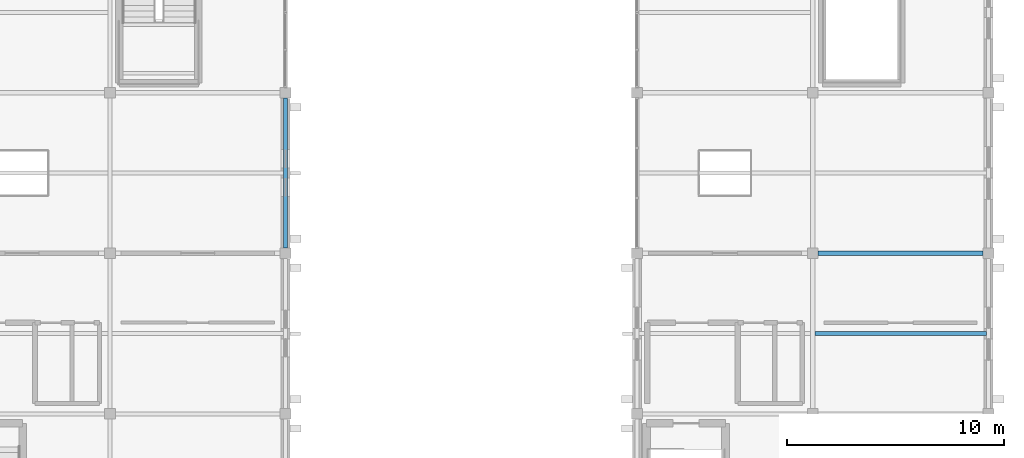
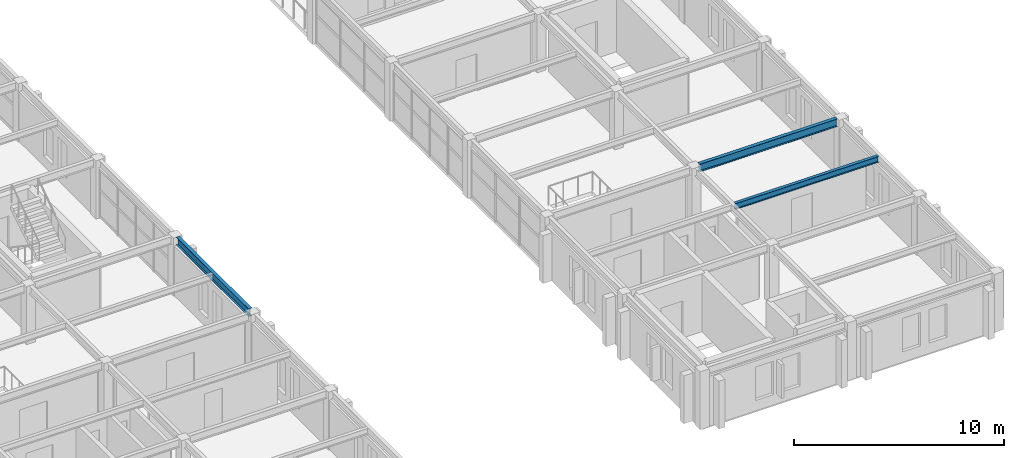
# One storey, part 63 of 93: 3 beams.
"""IFC4 building model written with IfcOpenShell, lengths in metres."""

from ifc_helpers import new_model, si_unit, direction, frame, origin, origin_2d, place, context, subcontext, project, spatial, i_section, extrude, material, material_profile, profile_set, type_object, element, save


model = new_model("IFC4")

# Units and contexts
model_context = context("Model", 3, precision=1e-05, world=origin(), true_north=direction((0.0, 1.0)))
body_context = subcontext(model_context, "Body", "Model", "MODEL_VIEW")
ifc_project = project(units=[si_unit("LENGTHUNIT", "METRE"), si_unit("AREAUNIT", "SQUARE_METRE"), si_unit("VOLUMEUNIT", "CUBIC_METRE"), si_unit("PLANEANGLEUNIT", "RADIAN"), si_unit("MASSUNIT", "GRAM", prefix="KILO")], contexts=[model_context])

# Site, building, storey
site_placement = place(None, origin())
site = spatial("IfcSite", under=ifc_project, at=site_placement, CompositionType="ELEMENT")
building_placement = place(site_placement, origin())
building = spatial("IfcBuilding", under=site, at=building_placement, Name="Cimatlan Art Gallery", CompositionType="ELEMENT")
storey_placement = place(building_placement, frame((0.0, 0.0, 13.800048828125)))
storey = spatial("IfcBuildingStorey", under=building, at=storey_placement, Name="L03", CompositionType="ELEMENT", Elevation=13.800048828125)

# Beams
ifc_material = material(Name="Steel ASTM A992 Grade 50", Category="steel")
ifc_material_profile_1 = material_profile(ifc_material, i_section(OverallWidth=0.1708984375, OverallDepth=0.35107421875, WebThickness=0.0068359375, FlangeThickness=0.009765625, at=origin_2d()), Name="W14X30")
ifc_profile_set_1 = profile_set([ifc_material_profile_1], Name="Steel ASTM A992 Grade 50")
beam_type_1 = type_object("IfcBeamType", Name="BM-STL-W14X30", PredefinedType="JOIST", material=ifc_profile_set_1)
beam_1_placement = place(storey_placement, frame((155.99560546875, 35.0, 3.204345703125), z_axis=(1.0, 0.0, 0.0), x_axis=(0.0, 1.0, 0.0)))
element("IfcBeam", 1, at=beam_1_placement, inside=storey, type_object=beam_type_1, Name="JST-L03-19-04", PredefinedType="JOIST", context=body_context, shape_type="SweptSolid", body=[
    extrude(i_section(OverallWidth=0.1708984375, OverallDepth=0.35107421875, WebThickness=0.0068359375, FlangeThickness=0.009765625, at=origin_2d()), origin(), (0.0, 0.0, 1.0), 7.908935546875),
])
ifc_material_profile_2 = material_profile(ifc_material, i_section(OverallWidth=0.19091796875, OverallDepth=0.45703125, WebThickness=0.009033203125, FlangeThickness=0.014404296875, at=origin_2d()), Name="W18X50")
ifc_profile_set_2 = profile_set([ifc_material_profile_2], Name="Steel ASTM A992 Grade 50")
beam_type_2 = type_object("IfcBeamType", Name="BM-STL-W18X50", PredefinedType="BEAM", material=ifc_profile_set_2)
beam_2_placement = place(storey_placement, frame((131.60009765625, 38.949951171875, 3.1513671875), z_axis=(0.0, 1.0, 0.0), x_axis=(-1.0, 0.0, 0.0)))
element("IfcBeam", 2, at=beam_2_placement, inside=storey, type_object=beam_type_2, Name="BM-Y-L03-16-05", PredefinedType="BEAM", context=body_context, shape_type="SweptSolid", body=[
    extrude(i_section(OverallWidth=0.19091796875, OverallDepth=0.45703125, WebThickness=0.009033203125, FlangeThickness=0.014404296875, at=origin_2d()), origin(), (0.0, 0.0, 1.0), 6.900146484375),
])
beam_3_placement = place(storey_placement, frame((156.14990234375, 38.699951171875, 3.1513671875), z_axis=(1.0, 0.0, 0.0), x_axis=(0.0, 1.0, 0.0)))
element("IfcBeam", 3, at=beam_3_placement, inside=storey, type_object=beam_type_2, Name="BM-X-L03-19-05", PredefinedType="BEAM", context=body_context, shape_type="SweptSolid", body=[
    extrude(i_section(OverallWidth=0.19091796875, OverallDepth=0.45703125, WebThickness=0.009033203125, FlangeThickness=0.014404296875, at=origin_2d()), origin(), (0.0, 0.0, 1.0), 7.60009765625),
])

save(model, "model.ifc")
